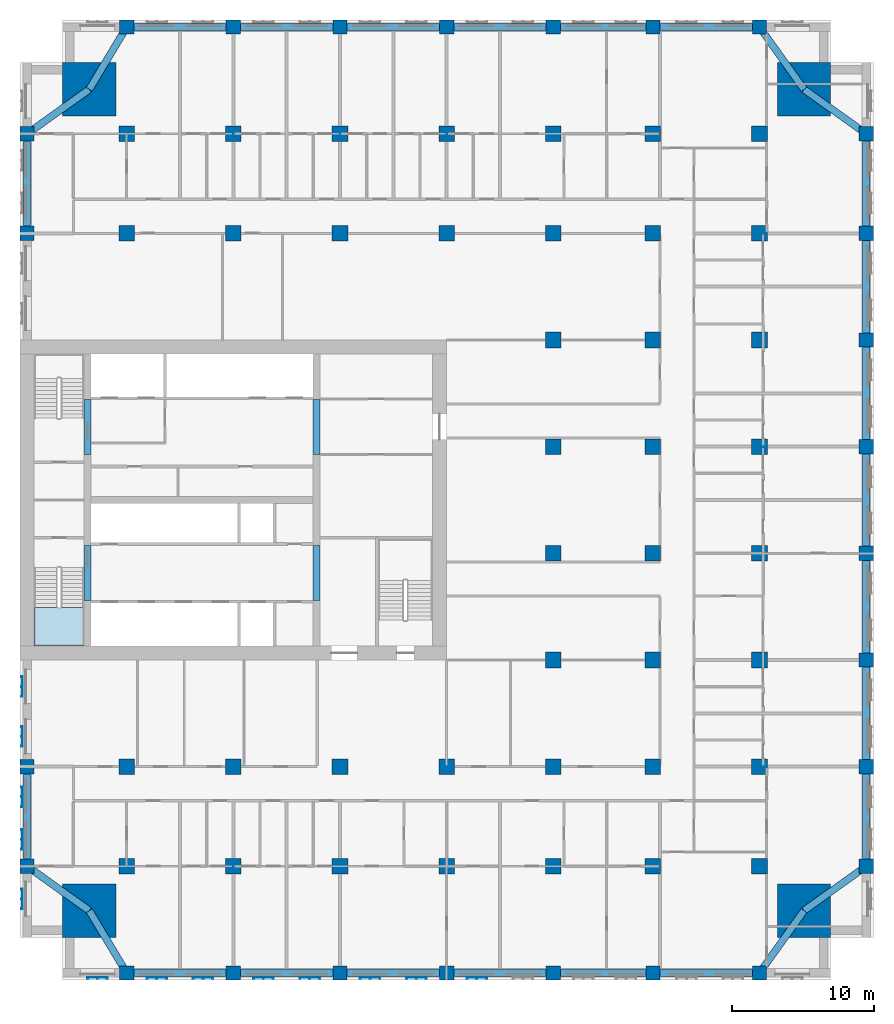
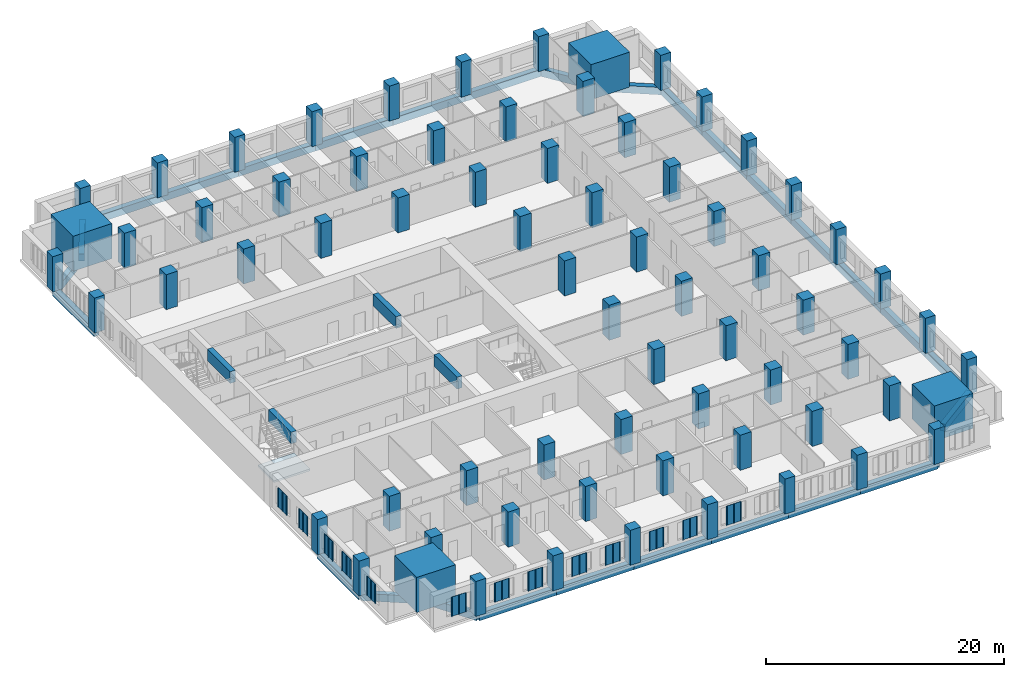
# One storey, part 1 of 15: 70 columns, 33 beams, 13 plates, 1 slab, 1 element without a shape of its own.
"""IFC4 building model written with IfcOpenShell, lengths in metres."""

import ifcopenshell
import ifcopenshell.guid

model = None  # the IFC model being written
_history = None  # IfcOwnerHistory: only IFC2X3 demands one
_inside = {}  # id of a spatial element -> (the spatial element, [elements in it])
_under = {}  # id of a project, library or spatial element -> (it, [spatial elements below it])
_declared = {}  # id of a project -> (the project, [libraries it declares])
_typed = {}  # id of a type object -> (the type object, [elements of that type])
_made_of = {}  # id of a material, layer set ... -> (it, [elements and type objects made of it])


def new_model(schema):
    """Start an empty IFC model of exactly this schema.

    Asked for "IFC4X3", IfcOpenShell would pick the latest addendum, in which some entities
    have other attributes; the version numbers below select the first issue.
    IFC2X3 requires an IfcOwnerHistory on every rooted entity: one is made here for all.
    """
    global model, _history
    if schema == "IFC4X3":
        model = ifcopenshell.file(schema_version=(4, 3, 0, 0))
    else:
        model = ifcopenshell.file(schema=schema)
    _inside.clear()
    _under.clear()
    _declared.clear()
    _typed.clear()
    _made_of.clear()
    _history = None
    if model.schema == "IFC2X3":
        org = make("IfcOrganization", Name="unknown")
        user = make(
            "IfcPersonAndOrganization",
            ThePerson=make("IfcPerson", FamilyName="unknown"),
            TheOrganization=org,
        )
        app = make(
            "IfcApplication",
            ApplicationDeveloper=org,
            Version="unknown",
            ApplicationFullName="unknown",
            ApplicationIdentifier="unknown",
        )
        _history = make(
            "IfcOwnerHistory",
            OwningUser=user,
            OwningApplication=app,
            ChangeAction="ADDED",
            CreationDate=0,
        )
    return model


def make(cls, **values):
    """One entity of the class cls with the attributes given. An attribute that is None is left unset."""
    return model.create_entity(
        cls, **{name: value for name, value in values.items() if value is not None}
    )


def rooted(cls, **values):
    """An entity with a GlobalId (a new one), such as an element, a storey or a relation."""
    return make(cls, GlobalId=ifcopenshell.guid.new(), OwnerHistory=_history, **values)


def si_unit(unit_type, name, prefix=None):
    """IfcSIUnit, for example si_unit("LENGTHUNIT", "METRE", prefix="MILLI")."""
    return make("IfcSIUnit", UnitType=unit_type, Prefix=prefix, Name=name)


def assignment(units):
    """IfcUnitAssignment: the units of a project."""
    return None if units is None else make("IfcUnitAssignment", Units=units)


def point(xyz):
    """IfcCartesianPoint."""
    return None if xyz is None else make("IfcCartesianPoint", Coordinates=xyz)


def direction(xyz):
    """IfcDirection."""
    return None if xyz is None else make("IfcDirection", DirectionRatios=xyz)


def frame(location, z_axis=None, x_axis=None):
    """IfcAxis2Placement3D, a coordinate frame: its origin and axes. An axis left out is left unset."""
    return make(
        "IfcAxis2Placement3D",
        Location=point(location),
        Axis=direction(z_axis),
        RefDirection=direction(x_axis),
    )


def frame_2d(location, x_axis=None):
    """IfcAxis2Placement2D, a coordinate frame in the plane: its origin and x axis."""
    return make(
        "IfcAxis2Placement2D", Location=point(location), RefDirection=direction(x_axis)
    )


def origin():
    """The frame at (0, 0, 0) with its axes left unset."""
    return frame((0.0, 0.0, 0.0))


def origin_2d():
    """The frame at (0, 0) in the plane with its x axis left unset."""
    return frame_2d((0.0, 0.0))


def place(relative_to, where):
    """IfcLocalPlacement: puts the frame where relative to a parent placement (None: the world)."""
    return make(
        "IfcLocalPlacement", PlacementRelTo=relative_to, RelativePlacement=where
    )


def context(
    kind, dimensions, precision=None, world=None, true_north=None, identifier=None
):
    """IfcGeometricRepresentationContext, for example the 3D "Model" context."""
    return make(
        "IfcGeometricRepresentationContext",
        ContextIdentifier=identifier,
        ContextType=kind,
        CoordinateSpaceDimension=dimensions,
        Precision=precision,
        WorldCoordinateSystem=world,
        TrueNorth=true_north,
    )


def subcontext(parent, identifier, kind, view, scale=None):
    """IfcGeometricRepresentationSubContext, for example "Body" below "Model"."""
    return make(
        "IfcGeometricRepresentationSubContext",
        ContextIdentifier=identifier,
        ContextType=kind,
        ParentContext=parent,
        TargetScale=scale,
        TargetView=view,
    )


def project(units=None, contexts=None):
    """IfcProject with its units and contexts."""
    return rooted(
        "IfcProject",
        Name="project",
        RepresentationContexts=contexts,
        UnitsInContext=assignment(units),
    )


def spatial(cls, under=None, at=None, **own):
    """A site, building, storey or space (cls), placed at a placement, below another one or the project."""
    s = rooted(cls, ObjectPlacement=at, **own)
    if under is not None:
        _under.setdefault(under.id(), (under, []))[1].append(s)
    return s


def polyline(points):
    """IfcPolyline through the points."""
    return make("IfcPolyline", Points=[point(p) for p in points])


def profile(cls, at=None, kind="AREA", **sizes):
    """A parametric profile (cls). Its sizes go by their IFC names, for example OverallWidth=200.0."""
    return make(cls, ProfileType=kind, Position=at, **sizes)


def rectangle(**sizes):
    """IfcRectangleProfileDef."""
    return profile("IfcRectangleProfileDef", **sizes)


def outline(outer, holes=None, kind="AREA"):
    """IfcArbitraryClosedProfileDef: a profile drawn as a closed curve; with holes, ...WithVoids."""
    if holes is None:
        return make("IfcArbitraryClosedProfileDef", ProfileType=kind, OuterCurve=outer)
    return make(
        "IfcArbitraryProfileDefWithVoids",
        ProfileType=kind,
        OuterCurve=outer,
        InnerCurves=holes,
    )


def extrude(swept, where, along, depth):
    """IfcExtrudedAreaSolid: the profile swept, set in the frame where, extruded along a direction by depth."""
    return make(
        "IfcExtrudedAreaSolid",
        SweptArea=swept,
        Position=where,
        ExtrudedDirection=direction(along),
        Depth=depth,
    )


def shape(context_of_items, identifier, shape_type, items):
    """IfcShapeRepresentation: the items that make up one representation, for example the "Body"."""
    return make(
        "IfcShapeRepresentation",
        ContextOfItems=context_of_items,
        RepresentationIdentifier=identifier,
        RepresentationType=shape_type,
        Items=items,
    )


def material(Name=None, Category=None):
    """IfcMaterial."""
    return make("IfcMaterial", Name=Name, Category=Category)


def layer(
    of_material, thickness, ventilated=None, Name=None, Category=None, Priority=None
):
    """IfcMaterialLayer: one layer of a wall or slab, of a material (None: an air gap)."""
    return make(
        "IfcMaterialLayer",
        Material=of_material,
        LayerThickness=thickness,
        IsVentilated=ventilated,
        Name=Name,
        Category=Category,
        Priority=Priority,
    )


def layer_set(layers, Name=None):
    """IfcMaterialLayerSet."""
    return make("IfcMaterialLayerSet", MaterialLayers=layers, LayerSetName=Name)


def material_profile(
    of_material, cross_section, Name=None, Category=None, Priority=None
):
    """IfcMaterialProfile: a cross section and its material."""
    return make(
        "IfcMaterialProfile",
        Name=Name,
        Material=of_material,
        Profile=cross_section,
        Priority=Priority,
        Category=Category,
    )


def profile_set(profiles, Name=None, composite=None):
    """IfcMaterialProfileSet."""
    return make(
        "IfcMaterialProfileSet",
        Name=Name,
        MaterialProfiles=profiles,
        CompositeProfile=composite,
    )


def made_of(thing, what):
    """Note that an element or type object is made of a material, layer set ...; save() writes the relation."""
    if what is not None:
        _made_of.setdefault(what.id(), (what, []))[1].append(thing)
    return thing


def type_object(cls, material=None, **own):
    """A type object (cls), such as IfcWallType, which elements share."""
    return made_of(rooted(cls, **own), material)


def element(
    cls,
    number,
    at=None,
    inside=None,
    cuts=None,
    type_object=None,
    material=None,
    context=None,
    identifier="Body",
    shape_type=None,
    held_by="IfcProductDefinitionShape",
    body=None,
    shapes=None,
    **own,
):
    """One element of the class cls, such as IfcWall. Its Tag is "e" and its number.

    at: its placement. inside: the storey or other place that contains it. cuts: it is an
    opening in that element (IfcRelVoidsElement). A single representation is given by context,
    identifier, shape_type and body (its items); several are given by shapes. held_by: the class
    of the entity that holds the representations. save() writes the other relations.
    """
    e = rooted(cls, Tag="e%d" % number, ObjectPlacement=at, **own)
    if body is not None:
        shapes = [shape(context, identifier, shape_type, body)]
    if shapes is not None:
        e.Representation = make(held_by, Representations=shapes)
    if inside is not None:
        _inside.setdefault(inside.id(), (inside, []))[1].append(e)
    if cuts is not None:
        rooted(
            "IfcRelVoidsElement", RelatingBuildingElement=cuts, RelatedOpeningElement=e
        )
    if type_object is not None:
        _typed.setdefault(type_object.id(), (type_object, []))[1].append(e)
    return made_of(e, material)


def aggregate(whole, parts):
    """IfcRelAggregates: a whole, such as a stair, and the parts it consists of."""
    return rooted("IfcRelAggregates", RelatingObject=whole, RelatedObjects=parts)


def save(model, path):
    """Write the relations noted so far, then the file.

    IfcRelAggregates (storeys below a building ...), IfcRelContainedInSpatialStructure (elements
    in a storey), IfcRelDefinesByType, IfcRelAssociatesMaterial and IfcRelDeclares: one each for
    every whole, place, type object, material and project.
    """
    for whole, parts in _under.values():
        aggregate(whole, parts)
    for where, things in _inside.values():
        rooted(
            "IfcRelContainedInSpatialStructure",
            RelatedElements=things,
            RelatingStructure=where,
        )
    for kind, things in _typed.values():
        rooted("IfcRelDefinesByType", RelatedObjects=things, RelatingType=kind)
    for what, things in _made_of.values():
        rooted("IfcRelAssociatesMaterial", RelatedObjects=things, RelatingMaterial=what)
    for by, libraries in _declared.values():
        rooted("IfcRelDeclares", RelatingContext=by, RelatedDefinitions=libraries)
    model.write(path)


model = new_model("IFC4")

# Units and contexts
model_context = context("Model", 3, precision=1e-05, world=origin(), true_north=direction((0.0, 1.0)))
body_context = subcontext(model_context, "Body", "Model", "MODEL_VIEW")
ifc_project = project(units=[si_unit("LENGTHUNIT", "METRE"), si_unit("AREAUNIT", "SQUARE_METRE"), si_unit("VOLUMEUNIT", "CUBIC_METRE"), si_unit("PLANEANGLEUNIT", "RADIAN"), si_unit("MASSUNIT", "GRAM", prefix="KILO")], contexts=[model_context])

# Site, building, storey
site_placement = place(None, origin())
site = spatial("IfcSite", under=ifc_project, at=site_placement, CompositionType="ELEMENT")
building_placement = place(site_placement, origin())
building = spatial("IfcBuilding", under=site, at=building_placement, Name="Tamorin Gate", CompositionType="ELEMENT")
storey_placement = place(building_placement, frame((0.0, 0.0, 111.5)))
storey = spatial("IfcBuildingStorey", under=building, at=storey_placement, Name="L27", CompositionType="ELEMENT", Elevation=111.5)

# Columns
ifc_material_1 = material(Name="Concrete C80/95", Category="concrete")
ifc_material_profile_1 = material_profile(ifc_material_1, rectangle(XDim=1.0, YDim=1.0, at=origin_2d()), Name="RC 1000x1000")
ifc_profile_set_1 = profile_set([ifc_material_profile_1], Name="Concrete C80/95")
column_type_1 = type_object("IfcColumnType", Name="RC column 1000x1000 C80/95", PredefinedType="COLUMN", material=ifc_profile_set_1)
for number, where, z_axis, x_axis, name in (
    (1, (30.5, 45.5, 0.0), (0.0, 0.0, 1.0), (1.0, 0.0, 0.0), "Ring column L27"),
    (2, (30.5, 52.5, 0.0), (0.0, 0.0, 1.0), (1.0, 0.0, 0.0), "Ring column L27"),
    (3, (30.5, 90.0, 0.0), (0.0, 0.0, 1.0), (1.0, 0.0, 0.0), "Ring column L27"),
    (4, (30.5, 97.0, 0.0), (0.0, 0.0, 1.0), (1.0, 0.0, 0.0), "Ring column L27"),
    (5, (37.5, 38.0, 0.0), (0.0, 0.0, 1.0), (1.0, 0.0, 0.0), "Ring column L27"),
    (6, (37.5, 104.5, 0.0), (0.0, 0.0, 1.0), (1.0, 0.0, 0.0), "Ring column L27"),
    (7, (45.0, 38.0, 0.0), (0.0, 0.0, 1.0), (1.0, 0.0, 0.0), "Ring column L27"),
    (8, (45.0, 104.5, 0.0), (0.0, 0.0, 1.0), (1.0, 0.0, 0.0), "Ring column L27"),
    (9, (52.5, 38.0, 0.0), (0.0, 0.0, 1.0), (1.0, 0.0, 0.0), "Ring column L27"),
    (10, (52.5, 104.5, 0.0), (0.0, 0.0, 1.0), (1.0, 0.0, 0.0), "Ring column L27"),
    (11, (60.0, 38.0, 0.0), (0.0, 0.0, 1.0), (1.0, 0.0, 0.0), "Ring column L27"),
    (12, (60.0, 104.5, 0.0), (0.0, 0.0, 1.0), (1.0, 0.0, 0.0), "Ring column L27"),
    (13, (67.5, 38.0, 0.0), (0.0, 0.0, 1.0), (1.0, 0.0, 0.0), "Ring column L27"),
    (14, (67.5, 104.5, 0.0), (0.0, 0.0, 1.0), (1.0, 0.0, 0.0), "Ring column L27"),
    (15, (74.5, 38.0, 0.0), (0.0, 0.0, 1.0), (1.0, 0.0, 0.0), "Ring column L27"),
    (16, (74.5, 104.5, 0.0), (0.0, 0.0, 1.0), (1.0, 0.0, 0.0), "Ring column L27"),
    (17, (82.0, 38.0, 0.0), (0.0, 0.0, 1.0), (1.0, 0.0, 0.0), "Ring column L27"),
    (18, (82.0, 104.5, 0.0), (0.0, 0.0, 1.0), (1.0, 0.0, 0.0), "Ring column L27"),
    (19, (89.5, 45.5, 0.0), (0.0, 0.0, 1.0), (1.0, 0.0, 0.0), "Ring column L27"),
    (20, (89.5, 52.5, 0.0), (0.0, 0.0, 1.0), (1.0, 0.0, 0.0), "Ring column L27"),
    (21, (89.5, 60.0, 0.0), (0.0, 0.0, 1.0), (1.0, 0.0, 0.0), "Ring column L27"),
    (22, (89.5, 67.5, 0.0), (0.0, 0.0, 1.0), (1.0, 0.0, 0.0), "Ring column L27"),
    (23, (89.5, 75.0, 0.0), (0.0, 0.0, 1.0), (1.0, 0.0, 0.0), "Ring column L27"),
    (24, (89.5, 82.5, 0.0), (0.0, 0.0, 1.0), (1.0, 0.0, 0.0), "Ring column L27"),
    (25, (89.5, 90.0, 0.0), (0.0, 0.0, 1.0), (1.0, 0.0, 0.0), "Ring column L27"),
    (26, (89.5, 97.0, 0.0), (0.0, 0.0, 1.0), (1.0, 0.0, 0.0), "Ring column L27"),
):
    element("IfcColumn", number, at=place(storey_placement, frame(where, z_axis=z_axis, x_axis=x_axis)), inside=storey, type_object=column_type_1, Name=name, PredefinedType="COLUMN", context=body_context, shape_type="SweptSolid", body=[
        extrude(rectangle(XDim=1.0, YDim=1.0, at=origin_2d()), origin(), (0.0, 0.0, 1.0), 3.60009765625),
    ])
ifc_material_profile_2 = material_profile(ifc_material_1, rectangle(XDim=1.10009765625, YDim=1.10009765625, at=origin_2d()), Name="RC 1100x1100")
ifc_profile_set_2 = profile_set([ifc_material_profile_2], Name="Concrete C80/95")
column_type_2 = type_object("IfcColumnType", Name="RC column 1100x1100 C80/95", PredefinedType="COLUMN", material=ifc_profile_set_2)
for number, where, z_axis, x_axis, name in (
    (27, (37.5, 45.5, 0.0), (0.0, 0.0, 1.0), (1.0, 0.0, 0.0), "Interior column L27"),
    (28, (37.5, 52.5, 0.0), (0.0, 0.0, 1.0), (1.0, 0.0, 0.0), "Interior column L27"),
    (29, (37.5, 90.0, 0.0), (0.0, 0.0, 1.0), (1.0, 0.0, 0.0), "Interior column L27"),
    (30, (37.5, 97.0, 0.0), (0.0, 0.0, 1.0), (1.0, 0.0, 0.0), "Interior column L27"),
    (31, (45.0, 45.5, 0.0), (0.0, 0.0, 1.0), (1.0, 0.0, 0.0), "Interior column L27"),
    (32, (45.0, 52.5, 0.0), (0.0, 0.0, 1.0), (1.0, 0.0, 0.0), "Interior column L27"),
    (33, (45.0, 90.0, 0.0), (0.0, 0.0, 1.0), (1.0, 0.0, 0.0), "Interior column L27"),
    (34, (45.0, 97.0, 0.0), (0.0, 0.0, 1.0), (1.0, 0.0, 0.0), "Interior column L27"),
    (35, (52.5, 45.5, 0.0), (0.0, 0.0, 1.0), (1.0, 0.0, 0.0), "Interior column L27"),
    (36, (52.5, 52.5, 0.0), (0.0, 0.0, 1.0), (1.0, 0.0, 0.0), "Interior column L27"),
    (37, (52.5, 90.0, 0.0), (0.0, 0.0, 1.0), (1.0, 0.0, 0.0), "Interior column L27"),
    (38, (52.5, 97.0, 0.0), (0.0, 0.0, 1.0), (1.0, 0.0, 0.0), "Interior column L27"),
    (39, (60.0, 45.5, 0.0), (0.0, 0.0, 1.0), (1.0, 0.0, 0.0), "Interior column L27"),
    (40, (60.0, 52.5, 0.0), (0.0, 0.0, 1.0), (1.0, 0.0, 0.0), "Interior column L27"),
    (41, (60.0, 90.0, 0.0), (0.0, 0.0, 1.0), (1.0, 0.0, 0.0), "Interior column L27"),
    (42, (60.0, 97.0, 0.0), (0.0, 0.0, 1.0), (1.0, 0.0, 0.0), "Interior column L27"),
    (43, (67.5, 45.5, 0.0), (0.0, 0.0, 1.0), (1.0, 0.0, 0.0), "Interior column L27"),
    (44, (67.5, 52.5, 0.0), (0.0, 0.0, 1.0), (1.0, 0.0, 0.0), "Interior column L27"),
    (45, (67.5, 60.0, 0.0), (0.0, 0.0, 1.0), (1.0, 0.0, 0.0), "Interior column L27"),
    (46, (67.5, 67.5, 0.0), (0.0, 0.0, 1.0), (1.0, 0.0, 0.0), "Interior column L27"),
    (47, (67.5, 75.0, 0.0), (0.0, 0.0, 1.0), (1.0, 0.0, 0.0), "Interior column L27"),
    (48, (67.5, 82.5, 0.0), (0.0, 0.0, 1.0), (1.0, 0.0, 0.0), "Interior column L27"),
    (49, (67.5, 90.0, 0.0), (0.0, 0.0, 1.0), (1.0, 0.0, 0.0), "Interior column L27"),
    (50, (67.5, 97.0, 0.0), (0.0, 0.0, 1.0), (1.0, 0.0, 0.0), "Interior column L27"),
    (51, (74.5, 45.5, 0.0), (0.0, 0.0, 1.0), (1.0, 0.0, 0.0), "Interior column L27"),
    (52, (74.5, 52.5, 0.0), (0.0, 0.0, 1.0), (1.0, 0.0, 0.0), "Interior column L27"),
    (53, (74.5, 60.0, 0.0), (0.0, 0.0, 1.0), (1.0, 0.0, 0.0), "Interior column L27"),
    (54, (74.5, 67.5, 0.0), (0.0, 0.0, 1.0), (1.0, 0.0, 0.0), "Interior column L27"),
    (55, (74.5, 75.0, 0.0), (0.0, 0.0, 1.0), (1.0, 0.0, 0.0), "Interior column L27"),
    (56, (74.5, 82.5, 0.0), (0.0, 0.0, 1.0), (1.0, 0.0, 0.0), "Interior column L27"),
    (57, (74.5, 90.0, 0.0), (0.0, 0.0, 1.0), (1.0, 0.0, 0.0), "Interior column L27"),
    (58, (74.5, 97.0, 0.0), (0.0, 0.0, 1.0), (1.0, 0.0, 0.0), "Interior column L27"),
    (59, (82.0, 45.5, 0.0), (0.0, 0.0, 1.0), (1.0, 0.0, 0.0), "Interior column L27"),
    (60, (82.0, 52.5, 0.0), (0.0, 0.0, 1.0), (1.0, 0.0, 0.0), "Interior column L27"),
    (61, (82.0, 60.0, 0.0), (0.0, 0.0, 1.0), (1.0, 0.0, 0.0), "Interior column L27"),
    (62, (82.0, 67.5, 0.0), (0.0, 0.0, 1.0), (1.0, 0.0, 0.0), "Interior column L27"),
    (63, (82.0, 75.0, 0.0), (0.0, 0.0, 1.0), (1.0, 0.0, 0.0), "Interior column L27"),
    (64, (82.0, 82.5, 0.0), (0.0, 0.0, 1.0), (1.0, 0.0, 0.0), "Interior column L27"),
    (65, (82.0, 90.0, 0.0), (0.0, 0.0, 1.0), (1.0, 0.0, 0.0), "Interior column L27"),
    (66, (82.0, 97.0, 0.0), (0.0, 0.0, 1.0), (1.0, 0.0, 0.0), "Interior column L27"),
):
    element("IfcColumn", number, at=place(storey_placement, frame(where, z_axis=z_axis, x_axis=x_axis)), inside=storey, type_object=column_type_2, Name=name, PredefinedType="COLUMN", context=body_context, shape_type="SweptSolid", body=[
        extrude(rectangle(XDim=1.10009765625, YDim=1.10009765625, at=origin_2d()), origin(), (0.0, 0.0, 1.0), 3.60009765625),
    ])
ifc_material_profile_3 = material_profile(ifc_material_1, rectangle(XDim=3.75, YDim=3.75, at=origin_2d()), Name="RC 3750x3750")
ifc_profile_set_3 = profile_set([ifc_material_profile_3], Name="Concrete C80/95")
column_type_3 = type_object("IfcColumnType", Name="RC column 3750x3750 C80/95", PredefinedType="COLUMN", material=ifc_profile_set_3)
for number, where, z_axis, x_axis, name in (
    (67, (34.875, 42.375, 0.0), (0.0, 0.0, 1.0), (1.0, 0.0, 0.0), "Mega column SW L27"),
    (68, (85.125, 42.375, 0.0), (0.0, 0.0, 1.0), (1.0, 0.0, 0.0), "Mega column SE L27"),
    (69, (34.875, 100.125, 0.0), (0.0, 0.0, 1.0), (1.0, 0.0, 0.0), "Mega column NW L27"),
    (70, (85.125, 100.125, 0.0), (0.0, 0.0, 1.0), (1.0, 0.0, 0.0), "Mega column NE L27"),
):
    element("IfcColumn", number, at=place(storey_placement, frame(where, z_axis=z_axis, x_axis=x_axis)), inside=storey, type_object=column_type_3, Name=name, PredefinedType="COLUMN", context=body_context, shape_type="SweptSolid", body=[
        extrude(rectangle(XDim=3.75, YDim=3.75, at=origin_2d()), origin(), (0.0, 0.0, 1.0), 3.60009765625),
    ])

# Beams
ifc_material_profile_4 = material_profile(ifc_material_1, rectangle(XDim=0.5, YDim=1.199951171875, at=origin_2d()), Name="RC 500x1200")
ifc_profile_set_4 = profile_set([ifc_material_profile_4], Name="Concrete C80/95")
beam_type_1 = type_object("IfcBeamType", Name="RC coupling beam 500x1200 C80/95", PredefinedType="BEAM", material=ifc_profile_set_4)
for number, where, z_axis, x_axis, name in (
    (71, (34.75, 64.199951171875, 3.0), (0.0, 1.0, 0.0), (-1.0, 0.0, 0.0), "Coupling beam L27"),
    (72, (34.75, 74.449951171875, 3.0), (0.0, 1.0, 0.0), (-1.0, 0.0, 0.0), "Coupling beam L27"),
    (73, (50.85009765625, 64.199951171875, 3.0), (0.0, 1.0, 0.0), (-1.0, 0.0, 0.0), "Coupling beam L27"),
    (74, (50.85009765625, 74.449951171875, 3.0), (0.0, 1.0, 0.0), (-1.0, 0.0, 0.0), "Coupling beam L27"),
):
    element("IfcBeam", number, at=place(storey_placement, frame(where, z_axis=z_axis, x_axis=x_axis)), inside=storey, type_object=beam_type_1, Name=name, PredefinedType="BEAM", context=body_context, shape_type="SweptSolid", body=[
        extrude(rectangle(XDim=0.5, YDim=1.199951171875, at=origin_2d()), origin(), (0.0, 0.0, 1.0), 3.85009765625),
    ])
ifc_material_2 = material(Name="Concrete C50/60", Category="concrete")
ifc_material_profile_5 = material_profile(ifc_material_2, rectangle(XDim=0.5, YDim=0.75, at=origin_2d()), Name="RC 500x750")
ifc_profile_set_5 = profile_set([ifc_material_profile_5], Name="Concrete C50/60")
beam_type_2 = type_object("IfcBeamType", Name="RC spandrel 500x750 C50/60", PredefinedType="BEAM", material=ifc_profile_set_5)
for number, where, z_axis, x_axis, name in (
    (75, (37.5, 38.0, -0.375), (1.0, 0.0, 0.0), (0.0, 1.0, 0.0), "Spandrel beam L27"),
    (76, (45.0, 38.0, -0.375), (1.0, 0.0, 0.0), (0.0, 1.0, 0.0), "Spandrel beam L27"),
    (77, (52.5, 38.0, -0.375), (1.0, 0.0, 0.0), (0.0, 1.0, 0.0), "Spandrel beam L27"),
    (78, (60.0, 38.0, -0.375), (1.0, 0.0, 0.0), (0.0, 1.0, 0.0), "Spandrel beam L27"),
):
    element("IfcBeam", number, at=place(storey_placement, frame(where, z_axis=z_axis, x_axis=x_axis)), inside=storey, type_object=beam_type_2, Name=name, PredefinedType="BEAM", context=body_context, shape_type="SweptSolid", body=[
        extrude(rectangle(XDim=0.5, YDim=0.75, at=origin_2d()), origin(), (0.0, 0.0, 1.0), 7.5),
    ])
beam_1_placement = place(storey_placement, frame((67.5, 38.0, -0.375), z_axis=(1.0, 0.0, 0.0), x_axis=(0.0, 1.0, 0.0)))
element("IfcBeam", 79, at=beam_1_placement, inside=storey, type_object=beam_type_2, Name="Spandrel beam L27", PredefinedType="BEAM", context=body_context, shape_type="SweptSolid", body=[
    extrude(rectangle(XDim=0.5, YDim=0.75, at=origin_2d()), origin(), (0.0, 0.0, 1.0), 7.0),
])
beam_2_placement = place(storey_placement, frame((74.5, 38.0, -0.375), z_axis=(1.0, 0.0, 0.0), x_axis=(0.0, 1.0, 0.0)))
element("IfcBeam", 80, at=beam_2_placement, inside=storey, type_object=beam_type_2, Name="Spandrel beam L27", PredefinedType="BEAM", context=body_context, shape_type="SweptSolid", body=[
    extrude(rectangle(XDim=0.5, YDim=0.75, at=origin_2d()), origin(), (0.0, 0.0, 1.0), 7.5),
])
beam_3_placement = place(storey_placement, frame((89.5, 45.5, -0.375), z_axis=(0.0, 1.0, 0.0), x_axis=(-1.0, 0.0, 0.0)))
element("IfcBeam", 81, at=beam_3_placement, inside=storey, type_object=beam_type_2, Name="Spandrel beam L27", PredefinedType="BEAM", context=body_context, shape_type="SweptSolid", body=[
    extrude(rectangle(XDim=0.5, YDim=0.75, at=origin_2d()), origin(), (0.0, 0.0, 1.0), 7.0),
])
for number, where, z_axis, x_axis, name in (
    (82, (89.5, 52.5, -0.375), (0.0, 1.0, 0.0), (-1.0, 0.0, 0.0), "Spandrel beam L27"),
    (83, (89.5, 60.0, -0.375), (0.0, 1.0, 0.0), (-1.0, 0.0, 0.0), "Spandrel beam L27"),
    (84, (89.5, 67.5, -0.375), (0.0, 1.0, 0.0), (-1.0, 0.0, 0.0), "Spandrel beam L27"),
    (85, (89.5, 75.0, -0.375), (0.0, 1.0, 0.0), (-1.0, 0.0, 0.0), "Spandrel beam L27"),
    (86, (89.5, 82.5, -0.375), (0.0, 1.0, 0.0), (-1.0, 0.0, 0.0), "Spandrel beam L27"),
):
    element("IfcBeam", number, at=place(storey_placement, frame(where, z_axis=z_axis, x_axis=x_axis)), inside=storey, type_object=beam_type_2, Name=name, PredefinedType="BEAM", context=body_context, shape_type="SweptSolid", body=[
        extrude(rectangle(XDim=0.5, YDim=0.75, at=origin_2d()), origin(), (0.0, 0.0, 1.0), 7.5),
    ])
beam_4_placement = place(storey_placement, frame((89.5, 90.0, -0.375), z_axis=(0.0, 1.0, 0.0), x_axis=(-1.0, 0.0, 0.0)))
element("IfcBeam", 87, at=beam_4_placement, inside=storey, type_object=beam_type_2, Name="Spandrel beam L27", PredefinedType="BEAM", context=body_context, shape_type="SweptSolid", body=[
    extrude(rectangle(XDim=0.5, YDim=0.75, at=origin_2d()), origin(), (0.0, 0.0, 1.0), 7.0),
])
beam_5_placement = place(storey_placement, frame((82.0, 104.5, -0.375), z_axis=(-1.0, 0.0, 0.0), x_axis=(0.0, -1.0, 0.0)))
element("IfcBeam", 88, at=beam_5_placement, inside=storey, type_object=beam_type_2, Name="Spandrel beam L27", PredefinedType="BEAM", context=body_context, shape_type="SweptSolid", body=[
    extrude(rectangle(XDim=0.5, YDim=0.75, at=origin_2d()), origin(), (0.0, 0.0, 1.0), 7.5),
])
beam_6_placement = place(storey_placement, frame((74.5, 104.5, -0.375), z_axis=(-1.0, 0.0, 0.0), x_axis=(0.0, -1.0, 0.0)))
element("IfcBeam", 89, at=beam_6_placement, inside=storey, type_object=beam_type_2, Name="Spandrel beam L27", PredefinedType="BEAM", context=body_context, shape_type="SweptSolid", body=[
    extrude(rectangle(XDim=0.5, YDim=0.75, at=origin_2d()), origin(), (0.0, 0.0, 1.0), 7.0),
])
for number, where, z_axis, x_axis, name in (
    (90, (67.5, 104.5, -0.375), (-1.0, 0.0, 0.0), (0.0, -1.0, 0.0), "Spandrel beam L27"),
    (91, (60.0, 104.5, -0.375), (-1.0, 0.0, 0.0), (0.0, -1.0, 0.0), "Spandrel beam L27"),
    (92, (52.5, 104.5, -0.375), (-1.0, 0.0, 0.0), (0.0, -1.0, 0.0), "Spandrel beam L27"),
    (93, (45.0, 104.5, -0.375), (-1.0, 0.0, 0.0), (0.0, -1.0, 0.0), "Spandrel beam L27"),
):
    element("IfcBeam", number, at=place(storey_placement, frame(where, z_axis=z_axis, x_axis=x_axis)), inside=storey, type_object=beam_type_2, Name=name, PredefinedType="BEAM", context=body_context, shape_type="SweptSolid", body=[
        extrude(rectangle(XDim=0.5, YDim=0.75, at=origin_2d()), origin(), (0.0, 0.0, 1.0), 7.5),
    ])
for number, where, z_axis, x_axis, name in (
    (94, (30.5, 97.0, -0.375), (0.0, -1.0, 0.0), (1.0, 0.0, 0.0), "Spandrel beam L27"),
    (95, (30.5, 52.5, -0.375), (0.0, -1.0, 0.0), (1.0, 0.0, 0.0), "Spandrel beam L27"),
):
    element("IfcBeam", number, at=place(storey_placement, frame(where, z_axis=z_axis, x_axis=x_axis)), inside=storey, type_object=beam_type_2, Name=name, PredefinedType="BEAM", context=body_context, shape_type="SweptSolid", body=[
        extrude(rectangle(XDim=0.5, YDim=0.75, at=origin_2d()), origin(), (0.0, 0.0, 1.0), 7.0),
    ])
beam_7_placement = place(storey_placement, frame((34.875, 42.375, -0.375), z_axis=(0.514495755428, -0.857492925713, 0.0), x_axis=(0.857492925713, 0.514495755428, 0.0)))
element("IfcBeam", 96, at=beam_7_placement, inside=storey, type_object=beam_type_2, Name="Corner tie beam L27", PredefinedType="BEAM", context=body_context, shape_type="SweptSolid", body=[
    extrude(rectangle(XDim=0.5, YDim=0.75, at=origin_2d()), origin(), (0.0, 0.0, 1.0), 5.10205078125),
])
for number, where, z_axis, x_axis, name in (
    (97, (34.875, 42.375, -0.375), (-0.813733471207, 0.581238193719, 0.0), (-0.581238193719, -0.813733471207, 0.0), "Corner tie beam L27"),
    (98, (85.125, 42.375, -0.375), (-0.581238193719, -0.813733471207, 0.0), (0.813733471207, -0.581238193719, 0.0), "Corner tie beam L27"),
    (99, (85.125, 42.375, -0.375), (0.813733471207, 0.581238193719, 0.0), (-0.581238193719, 0.813733471207, 0.0), "Corner tie beam L27"),
):
    element("IfcBeam", number, at=place(storey_placement, frame(where, z_axis=z_axis, x_axis=x_axis)), inside=storey, type_object=beam_type_2, Name=name, PredefinedType="BEAM", context=body_context, shape_type="SweptSolid", body=[
        extrude(rectangle(XDim=0.5, YDim=0.75, at=origin_2d()), origin(), (0.0, 0.0, 1.0), 5.37646484375),
    ])
beam_8_placement = place(storey_placement, frame((34.875, 100.125, -0.375), z_axis=(0.514495755428, 0.857492925713, 0.0), x_axis=(-0.857492925713, 0.514495755428, 0.0)))
element("IfcBeam", 100, at=beam_8_placement, inside=storey, type_object=beam_type_2, Name="Corner tie beam L27", PredefinedType="BEAM", context=body_context, shape_type="SweptSolid", body=[
    extrude(rectangle(XDim=0.5, YDim=0.75, at=origin_2d()), origin(), (0.0, 0.0, 1.0), 5.10205078125),
])
for number, where, z_axis, x_axis, name in (
    (101, (34.875, 100.125, -0.375), (-0.813733471207, -0.581238193719, 0.0), (0.581238193719, -0.813733471207, 0.0), "Corner tie beam L27"),
    (102, (85.125, 100.125, -0.375), (-0.581238193719, 0.813733471207, 0.0), (-0.813733471207, -0.581238193719, 0.0), "Corner tie beam L27"),
    (103, (85.125, 100.125, -0.375), (0.813733471207, -0.581238193719, 0.0), (0.581238193719, 0.813733471207, 0.0), "Corner tie beam L27"),
):
    element("IfcBeam", number, at=place(storey_placement, frame(where, z_axis=z_axis, x_axis=x_axis)), inside=storey, type_object=beam_type_2, Name=name, PredefinedType="BEAM", context=body_context, shape_type="SweptSolid", body=[
        extrude(rectangle(XDim=0.5, YDim=0.75, at=origin_2d()), origin(), (0.0, 0.0, 1.0), 5.37646484375),
    ])

# Stair, slab
ifc_material_3 = material(Name="Concrete C40/50", Category="concrete")
stair_type = type_object("IfcStairType", Name="Exit stair", PredefinedType="HALF_TURN_STAIR", material=ifc_material_3)
stair_placement = place(storey_placement, origin())
stair = element("IfcStair", 104, at=stair_placement, inside=storey, type_object=stair_type, Name="L27 stair ST1", PredefinedType="HALF_TURN_STAIR")
ifc_layer_1 = layer(ifc_material_3, 0.199951171875)
ifc_layer_set_1 = layer_set([ifc_layer_1], Name="Exit stair landing 200")
slab_type = type_object("IfcSlabType", Name="Exit stair landing 200", PredefinedType="LANDING", material=ifc_layer_set_1)
slab_placement = place(storey_placement, frame((0.0, 0.0, 1.60009765625)))
slab = element("IfcSlab", 105, at=slab_placement, type_object=slab_type, Name="ST1 landing 1", PredefinedType="LANDING", context=body_context, shape_type="SweptSolid", body=[
    extrude(outline(polyline([(31.0, 63.699951171875), (31.0, 61.0), (34.5, 61.0), (34.5, 63.699951171875), (31.0, 63.699951171875)])), origin(), (0.0, 0.0, 1.0), 0.199951171875),
])
aggregate(stair, [slab])

# Plates
ifc_material_4 = material(Name="Perforated pale aluminium sheet", Category="aluminium")
ifc_layer_2 = layer(ifc_material_4, 0.0400390625)
ifc_layer_set_2 = layer_set([ifc_layer_2], Name="Pale metal solar screen 1440")
plate_type = type_object("IfcPlateType", Name="Pale metal solar screen 1440", PredefinedType="SHEET", material=ifc_layer_set_2)
plate_1_placement = place(storey_placement, frame((0.0, 0.0, 0.7099609375)))
element("IfcPlate", 106, at=plate_1_placement, inside=storey, type_object=plate_type, Name="Perforated solar screen", PredefinedType="SHEET", context=body_context, shape_type="SweptSolid", body=[
    extrude(outline(polyline([(34.72998046875, 37.659912109375), (34.72998046875, 37.699951171875), (34.7900390625, 37.699951171875), (35.419921875, 37.699951171875), (35.47998046875, 37.699951171875), (36.110107421875, 37.699951171875), (36.169921875, 37.699951171875), (36.169921875, 37.659912109375), (36.169921875, 37.60009765625), (36.110107421875, 37.60009765625), (36.110107421875, 37.659912109375), (35.47998046875, 37.659912109375), (35.47998046875, 37.60009765625), (35.419921875, 37.60009765625), (35.419921875, 37.659912109375), (34.7900390625, 37.659912109375), (34.7900390625, 37.60009765625), (34.72998046875, 37.60009765625), (34.72998046875, 37.659912109375)])), origin(), (0.0, 0.0, 1.0), 1.97998046875),
])
plate_2_placement = place(storey_placement, frame((0.0, 0.0, 0.7099609375)))
element("IfcPlate", 107, at=plate_2_placement, inside=storey, type_object=plate_type, Name="Perforated solar screen", PredefinedType="SHEET", context=body_context, shape_type="SweptSolid", body=[
    extrude(outline(polyline([(38.905029296875, 37.659912109375), (38.905029296875, 37.699951171875), (38.965087890625, 37.699951171875), (39.594970703125, 37.699951171875), (39.655029296875, 37.699951171875), (40.284912109375, 37.699951171875), (40.344970703125, 37.699951171875), (40.344970703125, 37.699951171875), (40.344970703125, 37.659912109375), (40.344970703125, 37.659912109375), (40.344970703125, 37.60009765625), (40.284912109375, 37.60009765625), (40.284912109375, 37.659912109375), (39.655029296875, 37.659912109375), (39.655029296875, 37.60009765625), (39.594970703125, 37.60009765625), (39.594970703125, 37.659912109375), (38.965087890625, 37.659912109375), (38.965087890625, 37.60009765625), (38.905029296875, 37.60009765625), (38.905029296875, 37.659912109375)])), origin(), (0.0, 0.0, 1.0), 1.97998046875),
])
plate_3_placement = place(storey_placement, frame((0.0, 0.0, 0.7099609375)))
element("IfcPlate", 108, at=plate_3_placement, inside=storey, type_object=plate_type, Name="Perforated solar screen", PredefinedType="SHEET", context=body_context, shape_type="SweptSolid", body=[
    extrude(outline(polyline([(42.155029296875, 37.659912109375), (42.155029296875, 37.699951171875), (42.215087890625, 37.699951171875), (42.844970703125, 37.699951171875), (42.905029296875, 37.699951171875), (43.534912109375, 37.699951171875), (43.594970703125, 37.699951171875), (43.594970703125, 37.659912109375), (43.594970703125, 37.60009765625), (43.534912109375, 37.60009765625), (43.534912109375, 37.659912109375), (42.905029296875, 37.659912109375), (42.905029296875, 37.60009765625), (42.844970703125, 37.60009765625), (42.844970703125, 37.659912109375), (42.215087890625, 37.659912109375), (42.215087890625, 37.60009765625), (42.155029296875, 37.60009765625), (42.155029296875, 37.659912109375)])), origin(), (0.0, 0.0, 1.0), 1.97998046875),
])
plate_4_placement = place(storey_placement, frame((0.0, 0.0, 0.7099609375)))
element("IfcPlate", 109, at=plate_4_placement, inside=storey, type_object=plate_type, Name="Perforated solar screen", PredefinedType="SHEET", context=body_context, shape_type="SweptSolid", body=[
    extrude(outline(polyline([(46.405029296875, 37.659912109375), (46.405029296875, 37.699951171875), (46.465087890625, 37.699951171875), (47.094970703125, 37.699951171875), (47.155029296875, 37.699951171875), (47.784912109375, 37.699951171875), (47.844970703125, 37.699951171875), (47.844970703125, 37.659912109375), (47.844970703125, 37.60009765625), (47.784912109375, 37.60009765625), (47.784912109375, 37.659912109375), (47.155029296875, 37.659912109375), (47.155029296875, 37.60009765625), (47.094970703125, 37.60009765625), (47.094970703125, 37.659912109375), (46.465087890625, 37.659912109375), (46.465087890625, 37.60009765625), (46.405029296875, 37.60009765625), (46.405029296875, 37.659912109375)])), origin(), (0.0, 0.0, 1.0), 1.97998046875),
])
plate_5_placement = place(storey_placement, frame((0.0, 0.0, 0.7099609375)))
element("IfcPlate", 110, at=plate_5_placement, inside=storey, type_object=plate_type, Name="Perforated solar screen", PredefinedType="SHEET", context=body_context, shape_type="SweptSolid", body=[
    extrude(outline(polyline([(49.655029296875, 37.659912109375), (49.655029296875, 37.699951171875), (49.715087890625, 37.699951171875), (50.344970703125, 37.699951171875), (50.405029296875, 37.699951171875), (51.034912109375, 37.699951171875), (51.094970703125, 37.699951171875), (51.094970703125, 37.659912109375), (51.094970703125, 37.60009765625), (51.034912109375, 37.60009765625), (51.034912109375, 37.659912109375), (50.405029296875, 37.659912109375), (50.405029296875, 37.60009765625), (50.344970703125, 37.60009765625), (50.344970703125, 37.659912109375), (49.715087890625, 37.659912109375), (49.715087890625, 37.60009765625), (49.655029296875, 37.60009765625), (49.655029296875, 37.659912109375)])), origin(), (0.0, 0.0, 1.0), 1.97998046875),
])
plate_6_placement = place(storey_placement, frame((0.0, 0.0, 0.7099609375)))
element("IfcPlate", 111, at=plate_6_placement, inside=storey, type_object=plate_type, Name="Perforated solar screen", PredefinedType="SHEET", context=body_context, shape_type="SweptSolid", body=[
    extrude(outline(polyline([(53.905029296875, 37.659912109375), (53.905029296875, 37.699951171875), (53.965087890625, 37.699951171875), (54.594970703125, 37.699951171875), (54.655029296875, 37.699951171875), (55.284912109375, 37.699951171875), (55.344970703125, 37.699951171875), (55.344970703125, 37.659912109375), (55.344970703125, 37.60009765625), (55.284912109375, 37.60009765625), (55.284912109375, 37.659912109375), (54.655029296875, 37.659912109375), (54.655029296875, 37.60009765625), (54.594970703125, 37.60009765625), (54.594970703125, 37.659912109375), (53.965087890625, 37.659912109375), (53.965087890625, 37.60009765625), (53.905029296875, 37.60009765625), (53.905029296875, 37.659912109375)])), origin(), (0.0, 0.0, 1.0), 1.97998046875),
])
plate_7_placement = place(storey_placement, frame((0.0, 0.0, 0.7099609375)))
element("IfcPlate", 112, at=plate_7_placement, inside=storey, type_object=plate_type, Name="Perforated solar screen", PredefinedType="SHEET", context=body_context, shape_type="SweptSolid", body=[
    extrude(outline(polyline([(57.155029296875, 37.659912109375), (57.155029296875, 37.699951171875), (57.215087890625, 37.699951171875), (57.844970703125, 37.699951171875), (57.905029296875, 37.699951171875), (58.534912109375, 37.699951171875), (58.594970703125, 37.699951171875), (58.594970703125, 37.659912109375), (58.594970703125, 37.60009765625), (58.534912109375, 37.60009765625), (58.534912109375, 37.659912109375), (57.905029296875, 37.659912109375), (57.905029296875, 37.60009765625), (57.844970703125, 37.60009765625), (57.844970703125, 37.659912109375), (57.215087890625, 37.659912109375), (57.215087890625, 37.60009765625), (57.155029296875, 37.60009765625), (57.155029296875, 37.659912109375)])), origin(), (0.0, 0.0, 1.0), 1.97998046875),
])
plate_8_placement = place(storey_placement, frame((0.0, 0.0, 0.7099609375)))
element("IfcPlate", 113, at=plate_8_placement, inside=storey, type_object=plate_type, Name="Perforated solar screen", PredefinedType="SHEET", context=body_context, shape_type="SweptSolid", body=[
    extrude(outline(polyline([(61.405029296875, 37.659912109375), (61.405029296875, 37.699951171875), (61.465087890625, 37.699951171875), (62.094970703125, 37.699951171875), (62.155029296875, 37.699951171875), (62.784912109375, 37.699951171875), (62.844970703125, 37.699951171875), (62.844970703125, 37.659912109375), (62.844970703125, 37.60009765625), (62.784912109375, 37.60009765625), (62.784912109375, 37.659912109375), (62.155029296875, 37.659912109375), (62.155029296875, 37.60009765625), (62.094970703125, 37.60009765625), (62.094970703125, 37.659912109375), (61.465087890625, 37.659912109375), (61.465087890625, 37.60009765625), (61.405029296875, 37.60009765625), (61.405029296875, 37.659912109375)])), origin(), (0.0, 0.0, 1.0), 1.97998046875),
])
plate_9_placement = place(storey_placement, frame((0.0, 0.0, 0.7099609375)))
element("IfcPlate", 114, at=plate_9_placement, inside=storey, type_object=plate_type, Name="Perforated solar screen", PredefinedType="SHEET", context=body_context, shape_type="SweptSolid", body=[
    extrude(outline(polyline([(30.159912109375, 55.344970703125), (30.199951171875, 55.344970703125), (30.199951171875, 55.284912109375), (30.199951171875, 54.655029296875), (30.199951171875, 54.594970703125), (30.199951171875, 53.965087890625), (30.199951171875, 53.905029296875), (30.159912109375, 53.905029296875), (30.10009765625, 53.905029296875), (30.10009765625, 53.965087890625), (30.159912109375, 53.965087890625), (30.159912109375, 54.594970703125), (30.10009765625, 54.594970703125), (30.10009765625, 54.655029296875), (30.159912109375, 54.655029296875), (30.159912109375, 55.284912109375), (30.10009765625, 55.284912109375), (30.10009765625, 55.344970703125), (30.159912109375, 55.344970703125)])), origin(), (0.0, 0.0, 1.0), 1.97998046875),
])
plate_10_placement = place(storey_placement, frame((0.0, 0.0, 0.7099609375)))
element("IfcPlate", 115, at=plate_10_placement, inside=storey, type_object=plate_type, Name="Perforated solar screen", PredefinedType="SHEET", context=body_context, shape_type="SweptSolid", body=[
    extrude(outline(polyline([(30.159912109375, 58.844970703125), (30.199951171875, 58.844970703125), (30.199951171875, 58.784912109375), (30.199951171875, 58.155029296875), (30.199951171875, 58.094970703125), (30.199951171875, 57.465087890625), (30.199951171875, 57.405029296875), (30.159912109375, 57.405029296875), (30.10009765625, 57.405029296875), (30.10009765625, 57.465087890625), (30.159912109375, 57.465087890625), (30.159912109375, 58.094970703125), (30.10009765625, 58.094970703125), (30.10009765625, 58.155029296875), (30.159912109375, 58.155029296875), (30.159912109375, 58.784912109375), (30.10009765625, 58.784912109375), (30.10009765625, 58.844970703125), (30.159912109375, 58.844970703125)])), origin(), (0.0, 0.0, 1.0), 1.97998046875),
])
plate_11_placement = place(storey_placement, frame((0.0, 0.0, 0.7099609375)))
element("IfcPlate", 116, at=plate_11_placement, inside=storey, type_object=plate_type, Name="Perforated solar screen", PredefinedType="SHEET", context=body_context, shape_type="SweptSolid", body=[
    extrude(outline(polyline([(30.159912109375, 48.094970703125), (30.199951171875, 48.094970703125), (30.199951171875, 48.034912109375), (30.199951171875, 47.405029296875), (30.199951171875, 47.344970703125), (30.199951171875, 46.715087890625), (30.199951171875, 46.655029296875), (30.159912109375, 46.655029296875), (30.10009765625, 46.655029296875), (30.10009765625, 46.715087890625), (30.159912109375, 46.715087890625), (30.159912109375, 47.344970703125), (30.10009765625, 47.344970703125), (30.10009765625, 47.405029296875), (30.159912109375, 47.405029296875), (30.159912109375, 48.034912109375), (30.10009765625, 48.034912109375), (30.10009765625, 48.094970703125), (30.159912109375, 48.094970703125)])), origin(), (0.0, 0.0, 1.0), 1.97998046875),
])
plate_12_placement = place(storey_placement, frame((0.0, 0.0, 0.7099609375)))
element("IfcPlate", 117, at=plate_12_placement, inside=storey, type_object=plate_type, Name="Perforated solar screen", PredefinedType="SHEET", context=body_context, shape_type="SweptSolid", body=[
    extrude(outline(polyline([(30.159912109375, 51.094970703125), (30.199951171875, 51.094970703125), (30.199951171875, 51.034912109375), (30.199951171875, 50.405029296875), (30.199951171875, 50.344970703125), (30.199951171875, 49.715087890625), (30.199951171875, 49.655029296875), (30.159912109375, 49.655029296875), (30.10009765625, 49.655029296875), (30.10009765625, 49.715087890625), (30.159912109375, 49.715087890625), (30.159912109375, 50.344970703125), (30.10009765625, 50.344970703125), (30.10009765625, 50.405029296875), (30.159912109375, 50.405029296875), (30.159912109375, 51.034912109375), (30.10009765625, 51.034912109375), (30.10009765625, 51.094970703125), (30.159912109375, 51.094970703125)])), origin(), (0.0, 0.0, 1.0), 1.97998046875),
])
plate_13_placement = place(storey_placement, frame((0.0, 0.0, 0.7099609375)))
element("IfcPlate", 118, at=plate_13_placement, inside=storey, type_object=plate_type, Name="Perforated solar screen", PredefinedType="SHEET", context=body_context, shape_type="SweptSolid", body=[
    extrude(outline(polyline([(30.159912109375, 43.919921875), (30.199951171875, 43.919921875), (30.199951171875, 43.860107421875), (30.199951171875, 43.22998046875), (30.199951171875, 43.169921875), (30.199951171875, 42.5400390625), (30.199951171875, 42.47998046875), (30.159912109375, 42.47998046875), (30.10009765625, 42.47998046875), (30.10009765625, 42.5400390625), (30.159912109375, 42.5400390625), (30.159912109375, 43.169921875), (30.10009765625, 43.169921875), (30.10009765625, 43.22998046875), (30.159912109375, 43.22998046875), (30.159912109375, 43.860107421875), (30.10009765625, 43.860107421875), (30.10009765625, 43.919921875), (30.159912109375, 43.919921875)])), origin(), (0.0, 0.0, 1.0), 1.97998046875),
])

save(model, "model.ifc")
